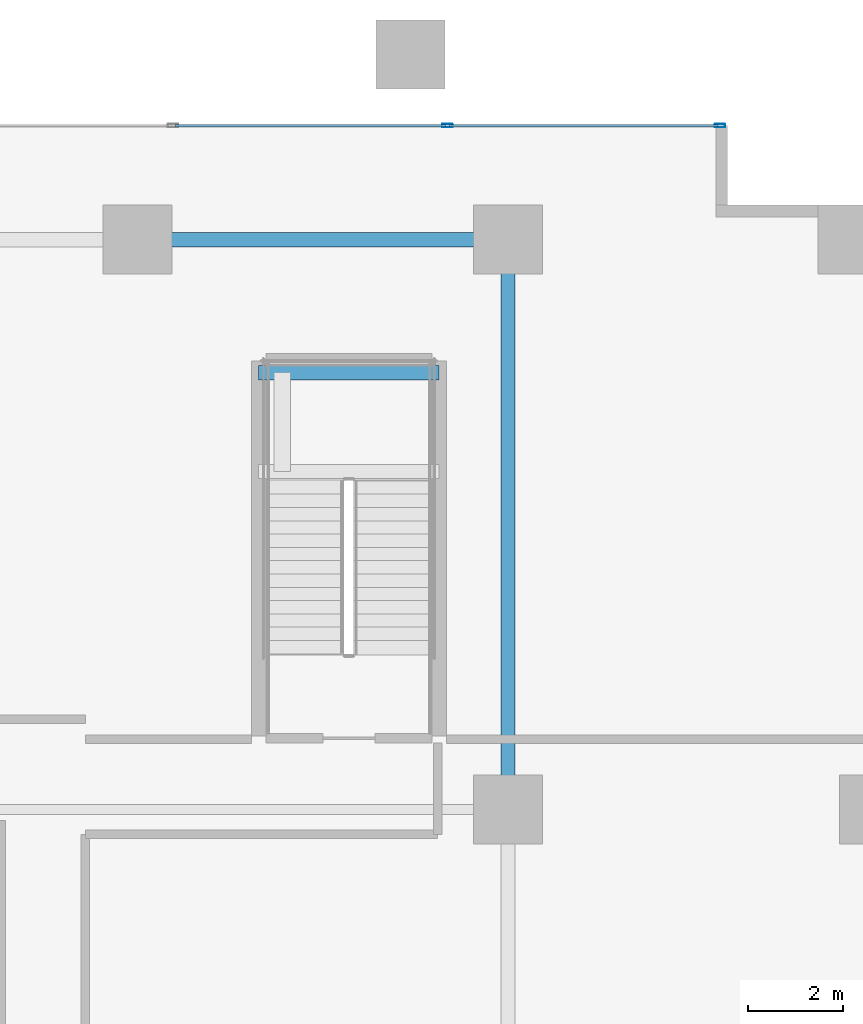
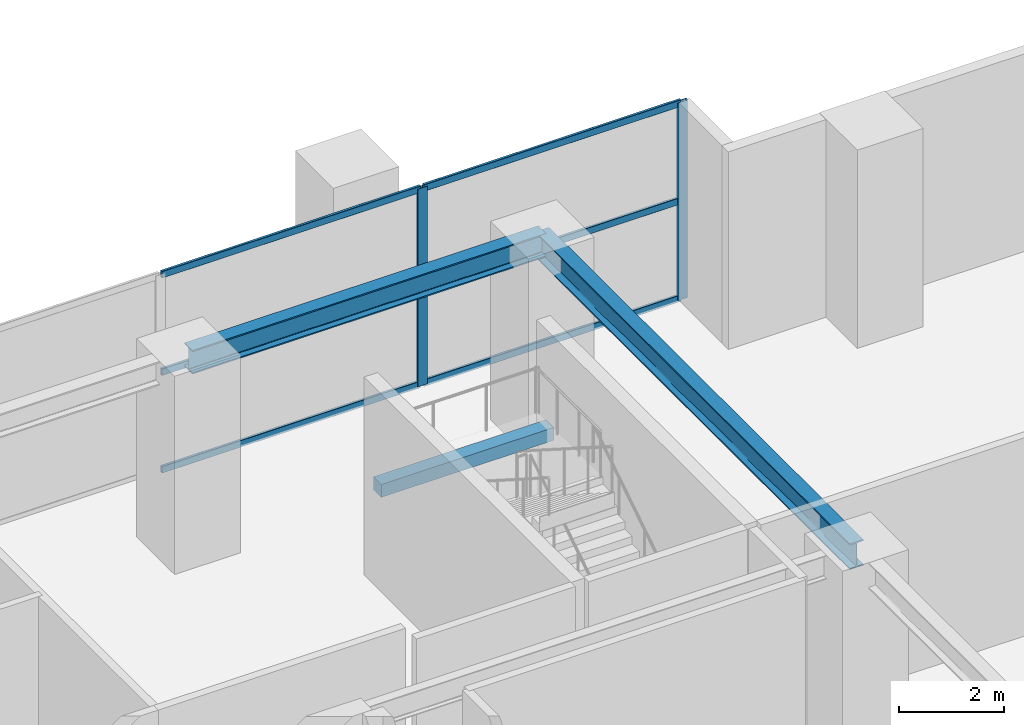
# One storey, part 11 of 20: 8 members, 3 beams, 1 element without a shape of its own.
"""IFC4 building model written with IfcOpenShell, lengths in metres."""

from ifc_helpers import new_model, si_unit, direction, frame, origin, origin_2d, place, context, subcontext, project, spatial, rectangle, hollow_rectangle, i_section, extrude, source, transform, mapped, material, layer, layer_set, material_profile, profile_set, type_object, element, aggregate, save


model = new_model("IFC4")

# Units and contexts
model_context = context("Model", 3, precision=1e-05, world=origin(), true_north=direction((0.0, 1.0)))
body_context = subcontext(model_context, "Body", "Model", "MODEL_VIEW")
ifc_project = project(units=[si_unit("LENGTHUNIT", "METRE"), si_unit("AREAUNIT", "SQUARE_METRE"), si_unit("VOLUMEUNIT", "CUBIC_METRE"), si_unit("PLANEANGLEUNIT", "RADIAN"), si_unit("MASSUNIT", "GRAM", prefix="KILO")], contexts=[model_context])

# Site, building, storey
site_placement = place(None, origin())
site = spatial("IfcSite", under=ifc_project, at=site_placement, CompositionType="ELEMENT")
building_placement = place(site_placement, origin())
building = spatial("IfcBuilding", under=site, at=building_placement, Name="Serunith Strait Residences", CompositionType="ELEMENT")
storey_placement = place(building_placement, frame((0.0, 0.0, 5.5)))
storey = spatial("IfcBuildingStorey", under=building, at=storey_placement, Name="L01", CompositionType="ELEMENT", Elevation=5.5)

# Beams
ifc_material_1 = material(Name="Steel S355J2", Category="steel")
ifc_material_profile_1 = material_profile(ifc_material_1, i_section(OverallWidth=0.300048828125, OverallDepth=0.550048828125, WebThickness=0.014892578125, FlangeThickness=0.029052734375, FilletRadius=0.027099609375, at=origin_2d()), Name="HEB 550")
ifc_profile_set_1 = profile_set([ifc_material_profile_1], Name="Steel S355J2")
beam_type_1 = type_object("IfcBeamType", Name="BM-HEB550", PredefinedType="BEAM", material=ifc_profile_set_1)
shared_shape_1 = source(origin(), body_context, "Body", "SweptSolid", [
    extrude(i_section(OverallWidth=0.300048828125, OverallDepth=0.550048828125, WebThickness=0.014892578125, FlangeThickness=0.029052734375, FilletRadius=0.027099609375, at=origin_2d()), origin(), (0.0, 0.0, 1.0), 7.800048828125),
])
beam_1_placement = place(storey_placement, frame((44.39990234375, 45.60009765625, 4.342041015625), z_axis=(1.0, 0.0, 0.0), x_axis=(0.0, 1.0, 0.0)))
element("IfcBeam", 1, at=beam_1_placement, inside=storey, type_object=beam_type_1, Name="BM-L01-10", PredefinedType="BEAM", context=body_context, shape_type="MappedRepresentation", body=[
    mapped(shared_shape_1, transform((0.0, 0.0, 0.0), scale=1.0)),
])
ifc_material_profile_2 = material_profile(ifc_material_1, i_section(OverallWidth=0.300048828125, OverallDepth=0.60009765625, WebThickness=0.015380859375, FlangeThickness=0.030029296875, FilletRadius=0.027099609375, at=origin_2d()), Name="HEB 600")
ifc_profile_set_2 = profile_set([ifc_material_profile_2], Name="Steel S355J2")
beam_type_2 = type_object("IfcBeamType", Name="BM-HEB600", PredefinedType="BEAM", material=ifc_profile_set_2)
shared_shape_2 = source(origin(), body_context, "Body", "SweptSolid", [
    extrude(i_section(OverallWidth=0.300048828125, OverallDepth=0.60009765625, WebThickness=0.015380859375, FlangeThickness=0.030029296875, FilletRadius=0.027099609375, at=origin_2d()), origin(), (0.0, 0.0, 1.0), 12.0),
])
beam_2_placement = place(storey_placement, frame((52.199951171875, 33.60009765625, 4.31689453125), z_axis=(0.0, 1.0, 0.0), x_axis=(-1.0, 0.0, 0.0)))
element("IfcBeam", 2, at=beam_2_placement, inside=storey, type_object=beam_type_2, Name="BM-L01-18", PredefinedType="BEAM", context=body_context, shape_type="MappedRepresentation", body=[
    mapped(shared_shape_2, transform((0.0, 0.0, 0.0), scale=1.0)),
])
ifc_material_2 = material(Name="Concrete C60/75", Category="concrete")
ifc_material_profile_3 = material_profile(ifc_material_2, rectangle(XDim=0.300048828125, YDim=0.300048828125, at=origin_2d()), Name="RC 300x300")
ifc_profile_set_3 = profile_set([ifc_material_profile_3], Name="Concrete C60/75")
beam_type_3 = type_object("IfcBeamType", Name="BM-LAND-300x300", PredefinedType="BEAM", material=ifc_profile_set_3)
shared_shape_3 = source(origin(), body_context, "Body", "SweptSolid", [
    extrude(rectangle(XDim=0.300048828125, YDim=0.300048828125, at=origin_2d()), origin(), (0.0, 0.0, 1.0), 3.800048828125),
])
beam_3_placement = place(storey_placement, frame((46.949951171875, 42.800048828125, 2.14990234375), z_axis=(1.0, 0.0, 0.0), x_axis=(0.0, 1.0, 0.0)))
element("IfcBeam", 3, at=beam_3_placement, inside=storey, type_object=beam_type_3, Name="L01 ST-4 Landing Support Beam 2", PredefinedType="BEAM", context=body_context, shape_type="MappedRepresentation", body=[
    mapped(shared_shape_3, transform((0.0, 0.0, 0.0), scale=1.0)),
])

# Curtain wall, members
ifc_material_3 = material(Name="Pale-Champagne Anodised Aluminium", Category="aluminium")
ifc_layer = layer(ifc_material_3, 0.199951171875, Name="Pale-Champagne Anodised Aluminium")
ifc_layer_set = layer_set([ifc_layer], Name="Pale-Champagne Anodised Aluminium")
curtain_wall_type = type_object("IfcCurtainWallType", Name="CW-SYS6", PredefinedType="NOTDEFINED", material=ifc_layer_set)
curtain_wall_placement = place(storey_placement, origin())
curtain_wall = element("IfcCurtainWall", 4, at=curtain_wall_placement, inside=storey, type_object=curtain_wall_type, Name="L01 Podium Galleria Curtain Wall 9A", PredefinedType="NOTDEFINED")
ifc_material_profile_4 = material_profile(ifc_material_3, hollow_rectangle(XDim=0.074951171875, YDim=0.219970703125, WallThickness=0.00390625, InnerFilletRadius=0.006103515625, OuterFilletRadius=0.010009765625, at=origin_2d()), Name="ALU 220x75x4")
ifc_profile_set_4 = profile_set([ifc_material_profile_4], Name="Pale-Champagne Anodised Aluminium")
member_type_1 = type_object("IfcMemberType", Name="CW-SYS6-MULL", PredefinedType="MULLION", material=ifc_profile_set_4)
shared_shape_4 = source(origin(), body_context, "Body", "SweptSolid", [
    extrude(hollow_rectangle(XDim=0.074951171875, YDim=0.219970703125, WallThickness=0.00390625, InnerFilletRadius=0.006103515625, OuterFilletRadius=0.010009765625, at=origin_2d()), origin(), (0.0, 0.0, 1.0), 4.60498046875),
])
member_1_placement = place(storey_placement, frame((56.66259765625, 48.0, 0.0), z_axis=(0.0, 0.0, 1.0), x_axis=(0.0, -1.0, 0.0)))
member_1 = element("IfcMember", 5, at=member_1_placement, type_object=member_type_1, Name="CW-6 mullion 1", PredefinedType="MULLION", context=body_context, shape_type="MappedRepresentation", body=[
    mapped(shared_shape_4, transform((0.0, 0.0, 0.0), scale=1.0)),
])
member_2_placement = place(storey_placement, frame((50.925048828125, 48.0, 0.0), z_axis=(0.0, 0.0, 1.0), x_axis=(0.0, -1.0, 0.0)))
member_2 = element("IfcMember", 6, at=member_2_placement, type_object=member_type_1, Name="CW-6 mullion 2", PredefinedType="MULLION", context=body_context, shape_type="MappedRepresentation", body=[
    mapped(shared_shape_4, transform((0.0, 0.0, 0.0), scale=1.0)),
])
ifc_material_profile_5 = material_profile(ifc_material_3, hollow_rectangle(XDim=0.06005859375, YDim=0.159912109375, WallThickness=0.00341796875, InnerFilletRadius=0.00537109375, OuterFilletRadius=0.0087890625, at=origin_2d()), Name="ALU 160x60x3.5")
ifc_profile_set_5 = profile_set([ifc_material_profile_5], Name="Pale-Champagne Anodised Aluminium")
member_type_2 = type_object("IfcMemberType", Name="CW-SYS6-TRAN", PredefinedType="USERDEFINED", material=ifc_profile_set_5)
shared_shape_5 = source(origin(), body_context, "Body", "SweptSolid", [
    extrude(hollow_rectangle(XDim=0.06005859375, YDim=0.159912109375, WallThickness=0.00341796875, InnerFilletRadius=0.00537109375, OuterFilletRadius=0.0087890625, at=origin_2d()), origin(), (0.0, 0.0, 1.0), 5.66259765625),
])
member_3_placement = place(storey_placement, frame((56.625, 48.0, 0.030029296875), z_axis=(-1.0, 0.0, 0.0), x_axis=(0.0, -1.0, 0.0)))
member_3 = element("IfcMember", 7, at=member_3_placement, type_object=member_type_2, Name="CW-6 transom 1.1", ObjectType="TRANSOM", PredefinedType="USERDEFINED", context=body_context, shape_type="MappedRepresentation", body=[
    mapped(shared_shape_5, transform((0.0, 0.0, 0.0), scale=1.0)),
])
member_4_placement = place(storey_placement, frame((56.625, 48.0, 2.302490234375), z_axis=(-1.0, 0.0, 0.0), x_axis=(0.0, -1.0, 0.0)))
member_4 = element("IfcMember", 8, at=member_4_placement, type_object=member_type_2, Name="CW-6 transom 1.2", ObjectType="TRANSOM", PredefinedType="USERDEFINED", context=body_context, shape_type="MappedRepresentation", body=[
    mapped(shared_shape_5, transform((0.0, 0.0, 0.0), scale=1.0)),
])
member_5_placement = place(storey_placement, frame((56.625, 48.0, 4.574951171875), z_axis=(-1.0, 0.0, 0.0), x_axis=(0.0, -1.0, 0.0)))
member_5 = element("IfcMember", 9, at=member_5_placement, type_object=member_type_2, Name="CW-6 transom 1.3", ObjectType="TRANSOM", PredefinedType="USERDEFINED", context=body_context, shape_type="MappedRepresentation", body=[
    mapped(shared_shape_5, transform((0.0, 0.0, 0.0), scale=1.0)),
])
shared_shape_6 = source(origin(), body_context, "Body", "SweptSolid", [
    extrude(hollow_rectangle(XDim=0.06005859375, YDim=0.159912109375, WallThickness=0.00341796875, InnerFilletRadius=0.00537109375, OuterFilletRadius=0.0087890625, at=origin_2d()), origin(), (0.0, 0.0, 1.0), 5.699951171875),
])
member_6_placement = place(storey_placement, frame((50.887451171875, 48.0, 0.030029296875), z_axis=(-1.0, 0.0, 0.0), x_axis=(0.0, -1.0, 0.0)))
member_6 = element("IfcMember", 10, at=member_6_placement, type_object=member_type_2, Name="CW-6 transom 2.1", ObjectType="TRANSOM", PredefinedType="USERDEFINED", context=body_context, shape_type="MappedRepresentation", body=[
    mapped(shared_shape_6, transform((0.0, 0.0, 0.0), scale=1.0)),
])
member_7_placement = place(storey_placement, frame((50.887451171875, 48.0, 2.302490234375), z_axis=(-1.0, 0.0, 0.0), x_axis=(0.0, -1.0, 0.0)))
member_7 = element("IfcMember", 11, at=member_7_placement, type_object=member_type_2, Name="CW-6 transom 2.2", ObjectType="TRANSOM", PredefinedType="USERDEFINED", context=body_context, shape_type="MappedRepresentation", body=[
    mapped(shared_shape_6, transform((0.0, 0.0, 0.0), scale=1.0)),
])
member_8_placement = place(storey_placement, frame((50.887451171875, 48.0, 4.574951171875), z_axis=(-1.0, 0.0, 0.0), x_axis=(0.0, -1.0, 0.0)))
member_8 = element("IfcMember", 12, at=member_8_placement, type_object=member_type_2, Name="CW-6 transom 2.3", ObjectType="TRANSOM", PredefinedType="USERDEFINED", context=body_context, shape_type="MappedRepresentation", body=[
    mapped(shared_shape_6, transform((0.0, 0.0, 0.0), scale=1.0)),
])
aggregate(curtain_wall, [member_1, member_2, member_3, member_4, member_5, member_6, member_7, member_8])

save(model, "model.ifc")
